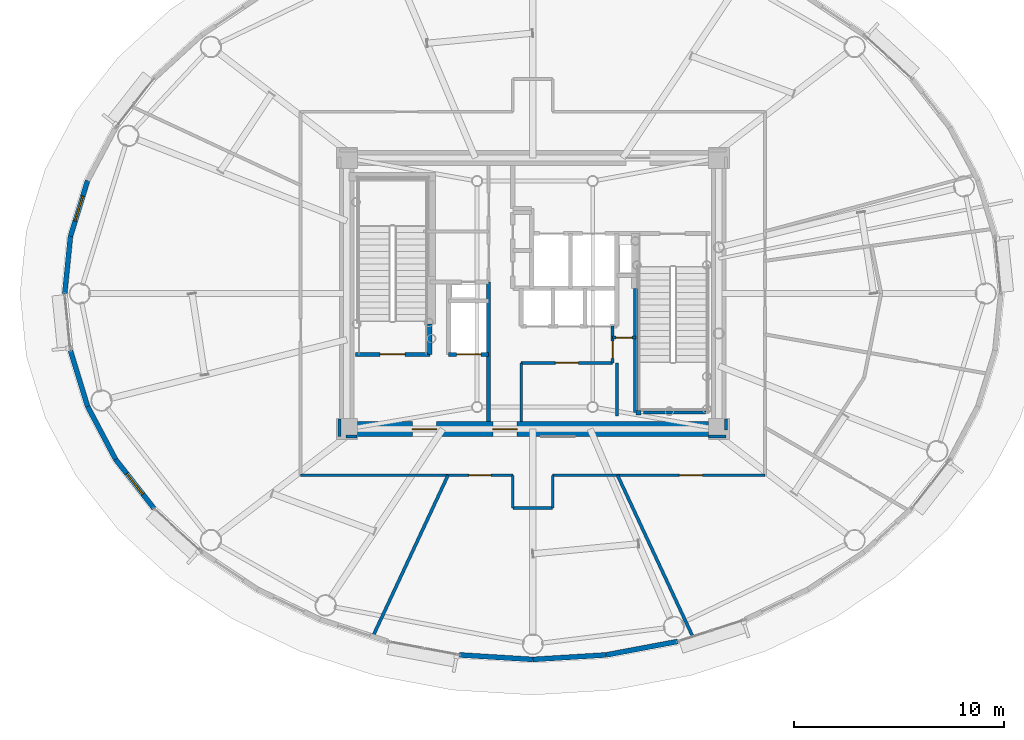
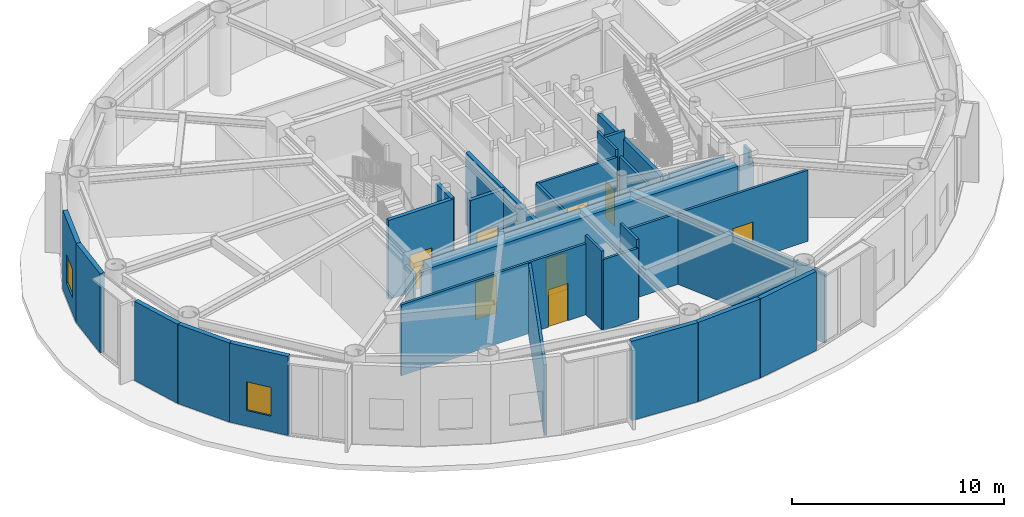
# One storey, part 22 of 32: 32 walls, 9 doors, 2 windows, 11 openings.
"""IFC4 building model written with IfcOpenShell, lengths in metres."""

from ifc_helpers import new_model, si_unit, direction, frame, frame_2d, origin, origin_2d, place, context, subcontext, project, spatial, rectangle, extrude, source, transform, mapped, material, layer, layer_set, type_object, element, fill, save


model = new_model("IFC4")

# Units and contexts
model_context = context("Model", 3, precision=1e-05, world=origin(), true_north=direction((0.0, 1.0)))
body_context = subcontext(model_context, "Body", "Model", "MODEL_VIEW")
ifc_project = project(units=[si_unit("LENGTHUNIT", "METRE"), si_unit("AREAUNIT", "SQUARE_METRE"), si_unit("VOLUMEUNIT", "CUBIC_METRE"), si_unit("PLANEANGLEUNIT", "RADIAN"), si_unit("MASSUNIT", "GRAM", prefix="KILO")], contexts=[model_context])

# Site, building, storey
site_placement = place(None, origin())
site = spatial("IfcSite", under=ifc_project, at=site_placement, CompositionType="ELEMENT")
building_placement = place(site_placement, origin())
building = spatial("IfcBuilding", under=site, at=building_placement, Name="Linh Dai School and Residence Tower", CompositionType="ELEMENT")
storey_placement = place(building_placement, frame((0.0, 0.0, 268.199951171875)))
storey = spatial("IfcBuildingStorey", under=building, at=storey_placement, Name="L66", CompositionType="ELEMENT", Elevation=268.199951171875)

# Wall, opening, window
ifc_material_1 = material(Name="Precast Concrete B45 (C35/45)", Category="concrete")
ifc_layer_1 = layer(ifc_material_1, 0.239990234375)
ifc_layer_set_1 = layer_set([ifc_layer_1], Name="Precast Concrete B45 (C35/45)")
wall_type_1 = type_object("IfcWallType", Name="EW-TC-240", PredefinedType="SOLIDWALL", material=ifc_layer_set_1)
wall_1_placement = place(storey_placement, frame((13.998291015625, 29.718994140625, 0.0), z_axis=(0.0, 0.0, 1.0), x_axis=(0.2931213403, 0.956075248012, 0.0)))
wall_1 = element("IfcWall", 1, at=wall_1_placement, inside=storey, type_object=wall_type_1, Name="L66 Terracotta Exterior Wall 19", PredefinedType="SOLIDWALL", context=body_context, shape_type="SweptSolid", body=[
    extrude(rectangle(XDim=2.775146484375, YDim=0.239990234375, at=frame_2d((1.3876953125, 0.0))), origin(), (0.0, 0.0, 1.0), 4.550048828125),
])
opening_1_placement = place(wall_1_placement, frame((0.7626953125, 0.0, 0.89990234375)))
opening_1 = element("IfcOpeningElement", 2, at=opening_1_placement, cuts=wall_1, Name="Opening W3", PredefinedType="OPENING", context=body_context, shape_type="SweptSolid", body=[
    extrude(rectangle(XDim=1.25, YDim=1.64990234375, at=origin_2d()), frame((0.625, 0.1298828125, 0.824951171875), z_axis=(0.0, -1.0, 0.0), x_axis=(1.0, 0.0, 0.0)), (0.0, 0.0, 1.0), 0.260009765625),
])
ifc_material_2 = material(Name="Double Low-E Insulated Glazing", Category="glass")
window_type = type_object("IfcWindowType", Name="WN-RES-1250x1650", PartitioningType="SINGLE_PANEL", PredefinedType="WINDOW", material=ifc_material_2)
shared_shape_1 = source(origin(), body_context, "Body", "SweptSolid", [
    extrude(rectangle(XDim=1.25, YDim=1.64990234375, at=origin_2d()), frame((0.625, 0.030029296875, 0.824951171875), z_axis=(0.0, -1.0, 0.0), x_axis=(1.0, 0.0, 0.0)), (0.0, 0.0, 1.0), 0.06005859375),
])
window_1_placement = place(opening_1_placement, origin())
window_1 = element("IfcWindow", 3, at=window_1_placement, inside=storey, type_object=window_type, Name="L66 Exterior Window 19.1", OverallHeight=1.64990234375, OverallWidth=1.25, PartitioningType="SINGLE_PANEL", PredefinedType="WINDOW", context=body_context, shape_type="MappedRepresentation", body=[
    mapped(shared_shape_1, transform((0.0, 0.0, 0.0), x_axis=(1.0, 0.0, 0.0), y_axis=(0.0, 1.0, 0.0), z_axis=(0.0, 0.0, 1.0), scale=1.0)),
])
fill(opening_1, window_1)

# Walls
wall_2_placement = place(storey_placement, frame((13.72509765625, 27.0, 0.0), z_axis=(0.0, 0.0, 1.0), x_axis=(0.099972526841, 0.99499019788, 0.0)))
element("IfcWall", 4, at=wall_2_placement, inside=storey, type_object=wall_type_1, Name="L66 Terracotta Exterior Wall 20", PredefinedType="SOLIDWALL", context=body_context, shape_type="SweptSolid", body=[
    extrude(rectangle(XDim=2.732666015625, YDim=0.239990234375, at=frame_2d((1.3662109375, 0.0))), origin(), (0.0, 0.0, 1.0), 4.550048828125),
])
wall_3_placement = place(storey_placement, frame((14.811767578125, 21.627685546875, 0.0), z_axis=(0.0, 0.0, 1.0), x_axis=(-0.2931213403, 0.956075248012, 0.0)))
element("IfcWall", 5, at=wall_3_placement, inside=storey, type_object=wall_type_1, Name="L66 Terracotta Exterior Wall 22", PredefinedType="SOLIDWALL", context=body_context, shape_type="SweptSolid", body=[
    extrude(rectangle(XDim=2.775146484375, YDim=0.239990234375, at=frame_2d((1.3876953125, 0.0))), origin(), (0.0, 0.0, 1.0), 4.550048828125),
])
wall_4_placement = place(storey_placement, frame((16.146240234375, 19.105224609375, 0.0), z_axis=(0.0, 0.0, 1.0), x_axis=(-0.467628269026, 0.883925224218, 0.0)))
element("IfcWall", 6, at=wall_4_placement, inside=storey, type_object=wall_type_1, Name="L66 Terracotta Exterior Wall 23", PredefinedType="SOLIDWALL", context=body_context, shape_type="SweptSolid", body=[
    extrude(rectangle(XDim=2.853759765625, YDim=0.239990234375, at=frame_2d((1.4267578125, 0.0))), origin(), (0.0, 0.0, 1.0), 4.550048828125),
])

# Wall, opening, window
wall_5_placement = place(storey_placement, frame((17.9697265625, 16.775390625, 0.0), z_axis=(0.0, 0.0, 1.0), x_axis=(-0.616337186556, 0.787482363275, 0.0)))
wall_5 = element("IfcWall", 7, at=wall_5_placement, inside=storey, type_object=wall_type_1, Name="L66 Terracotta Exterior Wall 24", PredefinedType="SOLIDWALL", context=body_context, shape_type="SweptSolid", body=[
    extrude(rectangle(XDim=2.95849609375, YDim=0.239990234375, at=frame_2d((1.479248046875, 0.0))), origin(), (0.0, 0.0, 1.0), 4.550048828125),
])
opening_2_placement = place(wall_5_placement, frame((0.85400390625, 0.0, 0.89990234375)))
opening_2 = element("IfcOpeningElement", 8, at=opening_2_placement, cuts=wall_5, Name="Opening W3", PredefinedType="OPENING", context=body_context, shape_type="SweptSolid", body=[
    extrude(rectangle(XDim=1.25, YDim=1.64990234375, at=origin_2d()), frame((0.625, 0.1298828125, 0.824951171875), z_axis=(0.0, -1.0, 0.0), x_axis=(1.0, 0.0, 0.0)), (0.0, 0.0, 1.0), 0.260009765625),
])
window_2_placement = place(opening_2_placement, origin())
window_2 = element("IfcWindow", 9, at=window_2_placement, inside=storey, type_object=window_type, Name="L66 Exterior Window 24.1", OverallHeight=1.64990234375, OverallWidth=1.25, PartitioningType="SINGLE_PANEL", PredefinedType="WINDOW", context=body_context, shape_type="MappedRepresentation", body=[
    mapped(shared_shape_1, transform((0.0, 0.0, 0.0), x_axis=(1.0, 0.0, 0.0), y_axis=(0.0, 1.0, 0.0), z_axis=(0.0, 0.0, 1.0), scale=1.0)),
])
fill(opening_2, window_2)

# Walls
for number, where, z_axis, x_axis, name in (
    (10, (36.0, 9.5849609375, 0.0), (0.0, 0.0, 1.0), (-0.998104946479, 0.061534671648, 0.0), "L66 Terracotta Exterior Wall 30"),
    (11, (39.48876953125, 9.800048828125, 0.0), (0.0, 0.0, 1.0), (-0.998104946479, -0.061534671648, 0.0), "L66 Terracotta Exterior Wall 31"),
):
    element("IfcWall", number, at=place(storey_placement, frame(where, z_axis=z_axis, x_axis=x_axis)), inside=storey, type_object=wall_type_1, Name=name, PredefinedType="SOLIDWALL", context=body_context, shape_type="SweptSolid", body=[
        extrude(rectangle(XDim=3.495361328125, YDim=0.239990234375, at=frame_2d((1.74755859375, 0.0))), origin(), (0.0, 0.0, 1.0), 4.550048828125),
    ])
wall_6_placement = place(storey_placement, frame((42.89111328125, 10.439697265625, 0.0), z_axis=(0.0, 0.0, 1.0), x_axis=(-0.982782655757, -0.184765395959, 0.0)))
element("IfcWall", 12, at=wall_6_placement, inside=storey, type_object=wall_type_1, Name="L66 Terracotta Exterior Wall 32", PredefinedType="SOLIDWALL", context=body_context, shape_type="SweptSolid", body=[
    extrude(rectangle(XDim=3.4619140625, YDim=0.239990234375, at=frame_2d((1.73095703125, 0.0))), origin(), (0.0, 0.0, 1.0), 4.550048828125),
])

# Wall, opening, door
ifc_material_3 = material(Name="Autoclaved Aerated Concrete Blockwork", Category="masonry")
ifc_layer_2 = layer(ifc_material_3, 0.135009765625)
ifc_layer_set_2 = layer_set([ifc_layer_2], Name="Autoclaved Aerated Concrete Blockwork")
wall_type_2 = type_object("IfcWallType", Name="IW-CORR-135-EI90", PredefinedType="PARTITIONING", material=ifc_layer_set_2)
wall_7_placement = place(storey_placement, frame((24.949951171875, 18.35009765625, 0.0), z_axis=(0.0, 0.0, 1.0), x_axis=(1.0, 0.0, 0.0)))
wall_7 = element("IfcWall", 13, at=wall_7_placement, inside=storey, type_object=wall_type_2, Name="L66 Interior Partition Wall 003", PredefinedType="PARTITIONING", context=body_context, shape_type="SweptSolid", body=[
    extrude(rectangle(XDim=10.10009765625, YDim=0.135009765625, at=frame_2d((5.050048828125, 0.0))), origin(), (0.0, 0.0, 1.0), 4.0849609375),
])
opening_3_placement = place(wall_7_placement, frame((8.01318359375, 0.0, 0.0)))
opening_3 = element("IfcOpeningElement", 14, at=opening_3_placement, cuts=wall_7, Name="Opening D04", PredefinedType="OPENING", context=body_context, shape_type="SweptSolid", body=[
    extrude(rectangle(XDim=1.050048828125, YDim=2.14990234375, at=origin_2d()), frame((0.52490234375, 0.07763671875, 1.074951171875), z_axis=(0.0, -1.0, 0.0), x_axis=(1.0, 0.0, 0.0)), (0.0, 0.0, 1.0), 0.155029296875),
])
ifc_material_4 = material(Name="Acoustic Vision-Panel Timber Classroom Door", Category="wood")
door_type_1 = type_object("IfcDoorType", Name="DR-SCH-1050x2150-FD60S", OperationType="NOTDEFINED", PredefinedType="DOOR", material=ifc_material_4)
shared_shape_2 = source(origin(), body_context, "Body", "SweptSolid", [
    extrude(rectangle(XDim=1.050048828125, YDim=2.14990234375, at=origin_2d()), frame((0.52490234375, 0.02490234375, 1.074951171875), z_axis=(0.0, -1.0, 0.0), x_axis=(1.0, 0.0, 0.0)), (0.0, 0.0, 1.0), 0.050048828125),
])
door_1_placement = place(opening_3_placement, origin())
door_1 = element("IfcDoor", 15, at=door_1_placement, inside=storey, type_object=door_type_1, Name="L66 High-Zone Resident Private Meeting Suite Door", OperationType="SINGLE_SWING_RIGHT", OverallHeight=2.14990234375, OverallWidth=1.050048828125, PredefinedType="DOOR", context=body_context, shape_type="MappedRepresentation", body=[
    mapped(shared_shape_2, transform((0.0, 0.0, 0.0), x_axis=(1.0, 0.0, 0.0), y_axis=(0.0, 1.0, 0.0), z_axis=(0.0, 0.0, 1.0), scale=1.0)),
])
fill(opening_3, door_1)

# Walls
wall_8_placement = place(storey_placement, frame((35.050048828125, 16.800048828125, 0.0), z_axis=(0.0, 0.0, 1.0), x_axis=(0.0, 1.0, 0.0)))
element("IfcWall", 16, at=wall_8_placement, inside=storey, type_object=wall_type_2, Name="L66 Interior Partition Wall 015", PredefinedType="PARTITIONING", context=body_context, shape_type="SweptSolid", body=[
    extrude(rectangle(XDim=1.550048828125, YDim=0.135009765625, at=frame_2d((0.77490234375, 0.0))), origin(), (0.0, 0.0, 1.0), 4.550048828125),
])
wall_9_placement = place(storey_placement, frame((35.050048828125, 16.800048828125, 0.0), z_axis=(0.0, 0.0, 1.0), x_axis=(1.0, 0.0, 0.0)))
element("IfcWall", 17, at=wall_9_placement, inside=storey, type_object=wall_type_2, Name="L66 Interior Partition Wall 016", PredefinedType="PARTITIONING", context=body_context, shape_type="SweptSolid", body=[
    extrude(rectangle(XDim=1.89990234375, YDim=0.135009765625, at=frame_2d((0.949951171875, 0.0))), origin(), (0.0, 0.0, 1.0), 4.0849609375),
])
wall_10_placement = place(storey_placement, frame((35.449951171875, 20.89990234375, 0.0), z_axis=(0.0, 0.0, 1.0), x_axis=(0.0, 1.0, 0.0)))
element("IfcWall", 18, at=wall_10_placement, inside=storey, type_object=wall_type_2, Name="L66 Interior Partition Wall 025", PredefinedType="PARTITIONING", context=body_context, shape_type="SweptSolid", body=[
    extrude(rectangle(XDim=2.800048828125, YDim=0.135009765625, at=frame_2d((1.39990234375, 0.0))), origin(), (0.0, 0.0, 1.0), 4.135009765625),
])

# Wall, opening, door
wall_11_placement = place(storey_placement, frame((35.449951171875, 23.699951171875, 0.0), z_axis=(0.0, 0.0, 1.0), x_axis=(1.0, 0.0, 0.0)))
wall_11 = element("IfcWall", 19, at=wall_11_placement, inside=storey, type_object=wall_type_2, Name="L66 Interior Partition Wall 026", PredefinedType="PARTITIONING", context=body_context, shape_type="SweptSolid", body=[
    extrude(rectangle(XDim=4.35009765625, YDim=0.135009765625, at=frame_2d((2.175048828125, 0.0))), origin(), (0.0, 0.0, 1.0), 4.135009765625),
])
opening_4_placement = place(wall_11_placement, frame((1.625, 0.0, 0.0)))
opening_4 = element("IfcOpeningElement", 20, at=opening_4_placement, cuts=wall_11, Name="Opening D07", PredefinedType="OPENING", context=body_context, shape_type="SweptSolid", body=[
    extrude(rectangle(XDim=1.10009765625, YDim=2.14990234375, at=origin_2d()), frame((0.550048828125, 0.07763671875, 1.074951171875), z_axis=(0.0, -1.0, 0.0), x_axis=(1.0, 0.0, 0.0)), (0.0, 0.0, 1.0), 0.155029296875),
])
ifc_material_5 = material(Name="Fire-Rated Louvred Steel Plant Door", Category="steel")
door_type_2 = type_object("IfcDoorType", Name="DR-PLT-1100x2150-FD60S", OperationType="NOTDEFINED", PredefinedType="DOOR", material=ifc_material_5)
shared_shape_3 = source(origin(), body_context, "Body", "SweptSolid", [
    extrude(rectangle(XDim=1.10009765625, YDim=2.14990234375, at=origin_2d()), frame((0.550048828125, 0.02490234375, 1.074951171875), z_axis=(0.0, -1.0, 0.0), x_axis=(1.0, 0.0, 0.0)), (0.0, 0.0, 1.0), 0.050048828125),
])
door_2_placement = place(opening_4_placement, origin())
door_2 = element("IfcDoor", 21, at=door_2_placement, inside=storey, type_object=door_type_2, Name="L66 Tenant Metering and BMS Room Door", OperationType="SINGLE_SWING_LEFT", OverallHeight=2.14990234375, OverallWidth=1.10009765625, PredefinedType="DOOR", context=body_context, shape_type="MappedRepresentation", body=[
    mapped(shared_shape_3, transform((0.0, 0.0, 0.0), x_axis=(1.0, 0.0, 0.0), y_axis=(0.0, 1.0, 0.0), z_axis=(0.0, 0.0, 1.0), scale=1.0)),
])
fill(opening_4, door_2)

# Wall
wall_12_placement = place(storey_placement, frame((36.949951171875, 16.800048828125, 0.0), z_axis=(0.0, 0.0, 1.0), x_axis=(0.0, 1.0, 0.0)))
element("IfcWall", 22, at=wall_12_placement, inside=storey, type_object=wall_type_2, Name="L66 Interior Partition Wall 031", PredefinedType="PARTITIONING", context=body_context, shape_type="SweptSolid", body=[
    extrude(rectangle(XDim=1.550048828125, YDim=0.135009765625, at=frame_2d((0.77490234375, 0.0))), origin(), (0.0, 0.0, 1.0), 4.550048828125),
])

# Wall, opening, door
wall_13_placement = place(storey_placement, frame((36.949951171875, 18.35009765625, 0.0), z_axis=(0.0, 0.0, 1.0), x_axis=(1.0, 0.0, 0.0)))
wall_13 = element("IfcWall", 23, at=wall_13_placement, inside=storey, type_object=wall_type_2, Name="L66 Interior Partition Wall 032", PredefinedType="PARTITIONING", context=body_context, shape_type="SweptSolid", body=[
    extrude(rectangle(XDim=10.10009765625, YDim=0.135009765625, at=frame_2d((5.050048828125, 0.0))), origin(), (0.0, 0.0, 1.0), 4.0849609375),
])
opening_5_placement = place(wall_13_placement, frame((6.021728515625, 0.0, 0.0)))
opening_5 = element("IfcOpeningElement", 24, at=opening_5_placement, cuts=wall_13, Name="Opening D07", PredefinedType="OPENING", context=body_context, shape_type="SweptSolid", body=[
    extrude(rectangle(XDim=1.10009765625, YDim=2.14990234375, at=origin_2d()), frame((0.550048828125, 0.07763671875, 1.074951171875), z_axis=(0.0, -1.0, 0.0), x_axis=(1.0, 0.0, 0.0)), (0.0, 0.0, 1.0), 0.155029296875),
])
door_3_placement = place(opening_5_placement, origin())
door_3 = element("IfcDoor", 25, at=door_3_placement, inside=storey, type_object=door_type_2, Name="L66 High-Zone Parcel and Luggage Room Door", OperationType="SINGLE_SWING_LEFT", OverallHeight=2.14990234375, OverallWidth=1.10009765625, PredefinedType="DOOR", context=body_context, shape_type="MappedRepresentation", body=[
    mapped(shared_shape_3, transform((0.0, 0.0, 0.0), x_axis=(1.0, 0.0, 0.0), y_axis=(0.0, 1.0, 0.0), z_axis=(0.0, 0.0, 1.0), scale=1.0)),
])
fill(opening_5, door_3)

wall_14_placement = place(storey_placement, frame((39.800048828125, 23.699951171875, 0.0), z_axis=(0.0, 0.0, 1.0), x_axis=(0.0, 1.0, 0.0)))
wall_14 = element("IfcWall", 26, at=wall_14_placement, inside=storey, type_object=wall_type_2, Name="L66 Interior Partition Wall 038", PredefinedType="PARTITIONING", context=body_context, shape_type="SweptSolid", body=[
    extrude(rectangle(XDim=1.75, YDim=0.135009765625, at=frame_2d((0.875, 0.0))), origin(), (0.0, 0.0, 1.0), 4.550048828125),
])
opening_6_placement = place(wall_14_placement, frame((0.2099609375, 0.0, 0.0)))
opening_6 = element("IfcOpeningElement", 27, at=opening_6_placement, cuts=wall_14, Name="Opening D06", PredefinedType="OPENING", context=body_context, shape_type="SweptSolid", body=[
    extrude(rectangle(XDim=0.820068359375, YDim=2.10009765625, at=origin_2d()), frame((0.41015625, 0.07763671875, 1.050048828125), z_axis=(0.0, -1.0, 0.0), x_axis=(1.0, 0.0, 0.0)), (0.0, 0.0, 1.0), 0.155029296875),
])
ifc_material_6 = material(Name="Moisture-Resistant Timber Bathroom Door", Category="wood")
door_type_3 = type_object("IfcDoorType", Name="DR-WET-820x2100", OperationType="NOTDEFINED", PredefinedType="DOOR", material=ifc_material_6)
shared_shape_4 = source(origin(), body_context, "Body", "SweptSolid", [
    extrude(rectangle(XDim=0.820068359375, YDim=2.10009765625, at=origin_2d()), frame((0.41015625, 0.02490234375, 1.050048828125), z_axis=(0.0, -1.0, 0.0), x_axis=(1.0, 0.0, 0.0)), (0.0, 0.0, 1.0), 0.050048828125),
])
door_4_placement = place(opening_6_placement, origin())
door_4 = element("IfcDoor", 28, at=door_4_placement, inside=storey, type_object=door_type_3, Name="L66 SE Metering Closet Door", OperationType="SINGLE_SWING_RIGHT", OverallHeight=2.10009765625, OverallWidth=0.820068359375, PredefinedType="DOOR", context=body_context, shape_type="MappedRepresentation", body=[
    mapped(shared_shape_4, transform((0.0, 0.0, 0.0), x_axis=(1.0, 0.0, 0.0), y_axis=(0.0, 1.0, 0.0), z_axis=(0.0, 0.0, 1.0), scale=1.0)),
])
fill(opening_6, door_4)

# Walls
wall_15_placement = place(storey_placement, frame((44.239990234375, 21.330078125, 0.0), z_axis=(0.0, 0.0, 1.0), x_axis=(-1.0, 0.0, 0.0)))
element("IfcWall", 29, at=wall_15_placement, inside=storey, type_object=wall_type_2, Name="L66 Interior Partition Wall 053", PredefinedType="PARTITIONING", context=body_context, shape_type="SweptSolid", body=[
    extrude(rectangle(XDim=2.97998046875, YDim=0.135009765625, at=frame_2d((1.489990234375, 0.0))), origin(), (0.0, 0.0, 1.0), 4.0849609375),
])
wall_16_placement = place(storey_placement, frame((40.0, 23.699951171875, 0.0), z_axis=(0.0, 0.0, 1.0), x_axis=(0.0, -1.0, 0.0)))
element("IfcWall", 30, at=wall_16_placement, inside=storey, type_object=wall_type_2, Name="L66 Interior Partition Wall 054", PredefinedType="PARTITIONING", context=body_context, shape_type="SweptSolid", body=[
    extrude(rectangle(XDim=2.5400390625, YDim=0.135009765625, at=frame_2d((1.27001953125, 0.0))), origin(), (0.0, 0.0, 1.0), 4.0849609375),
])
wall_17_placement = place(storey_placement, frame((26.800048828125, 21.0400390625, 0.0), z_axis=(0.0, 0.0, 1.0), x_axis=(0.0, -1.0, 0.0)))
element("IfcWall", 31, at=wall_17_placement, inside=storey, type_object=wall_type_2, Name="L66 Interior Partition Wall 058", PredefinedType="PARTITIONING", context=body_context, shape_type="SweptSolid", body=[
    extrude(rectangle(XDim=0.840087890625, YDim=0.135009765625, at=frame_2d((0.419921875, 0.0))), origin(), (0.0, 0.0, 1.0), 4.0849609375),
])
wall_18_placement = place(storey_placement, frame((27.107421875, 20.199951171875, 0.0), z_axis=(0.0, 0.0, 1.0), x_axis=(1.0, 0.0, 0.0)))
element("IfcWall", 32, at=wall_18_placement, inside=storey, type_object=wall_type_2, Name="L66 Interior Partition Wall 059", PredefinedType="PARTITIONING", context=body_context, shape_type="SweptSolid", body=[
    extrude(rectangle(XDim=0.532470703125, YDim=0.135009765625, at=frame_2d((0.26611328125, 0.0))), origin(), (0.0, 0.0, 1.0), 4.0849609375),
])
wall_19_placement = place(storey_placement, frame((44.360107421875, 20.199951171875, 0.0), z_axis=(0.0, 0.0, 1.0), x_axis=(1.0, 0.0, 0.0)))
element("IfcWall", 33, at=wall_19_placement, inside=storey, type_object=wall_type_2, Name="L66 Interior Partition Wall 060", PredefinedType="PARTITIONING", context=body_context, shape_type="SweptSolid", body=[
    extrude(rectangle(XDim=0.83984375, YDim=0.135009765625, at=frame_2d((0.419921875, 0.0))), origin(), (0.0, 0.0, 1.0), 4.0849609375),
])
wall_20_placement = place(storey_placement, frame((45.199951171875, 20.507568359375, 0.0), z_axis=(0.0, 0.0, 1.0), x_axis=(0.0, 1.0, 0.0)))
element("IfcWall", 34, at=wall_20_placement, inside=storey, type_object=wall_type_2, Name="L66 Interior Partition Wall 061", PredefinedType="PARTITIONING", context=body_context, shape_type="SweptSolid", body=[
    extrude(rectangle(XDim=0.532470703125, YDim=0.135009765625, at=frame_2d((0.26611328125, 0.0))), origin(), (0.0, 0.0, 1.0), 4.550048828125),
])
ifc_layer_3 = layer(ifc_material_3, 0.14990234375)
ifc_layer_set_3 = layer_set([ifc_layer_3], Name="Autoclaved Aerated Concrete Blockwork")
wall_type_3 = type_object("IfcWallType", Name="IW-SCH-150-EI60", PredefinedType="PARTITIONING", material=ifc_layer_set_3)
wall_21_placement = place(storey_placement, frame((28.384765625, 10.669189453125, 0.0), z_axis=(0.0, 0.0, 1.0), x_axis=(0.422629968892, 0.90630232781, 0.0)))
element("IfcWall", 35, at=wall_21_placement, inside=storey, type_object=wall_type_3, Name="L66 Interior Partition Wall 006", PredefinedType="PARTITIONING", context=body_context, shape_type="SweptSolid", body=[
    extrude(rectangle(XDim=8.47509765625, YDim=0.14990234375, at=frame_2d((4.237548828125, 0.0))), origin(), (0.0, 0.0, 1.0), 4.03515625),
])

# Wall, opening, door
wall_22_placement = place(storey_placement, frame((39.800048828125, 24.89990234375, 0.0), z_axis=(0.0, 0.0, 1.0), x_axis=(1.0, 0.0, 0.0)))
wall_22 = element("IfcWall", 36, at=wall_22_placement, inside=storey, type_object=wall_type_3, Name="L66 Interior Partition Wall 039", PredefinedType="PARTITIONING", context=body_context, shape_type="SweptSolid", body=[
    extrude(rectangle(XDim=1.099853515625, YDim=0.14990234375, at=frame_2d((0.5498046875, 0.0))), origin(), (0.0, 0.0, 1.0), 4.550048828125),
])
opening_7_placement = place(wall_22_placement, frame((0.169921875, 0.0, 0.0)))
opening_7 = element("IfcOpeningElement", 37, at=opening_7_placement, cuts=wall_22, Name="Opening D08", PredefinedType="OPENING", context=body_context, shape_type="SweptSolid", body=[
    extrude(rectangle(XDim=0.760009765625, YDim=2.10009765625, at=origin_2d()), frame((0.3798828125, 0.0849609375, 1.050048828125), z_axis=(0.0, -1.0, 0.0), x_axis=(1.0, 0.0, 0.0)), (0.0, 0.0, 1.0), 0.169921875),
])
ifc_material_7 = material(Name="Engineered Timber Closet and Study Door", Category="wood")
door_type_4 = type_object("IfcDoorType", Name="DR-CMP-760x2100", OperationType="NOTDEFINED", PredefinedType="DOOR", material=ifc_material_7)
shared_shape_5 = source(origin(), body_context, "Body", "SweptSolid", [
    extrude(rectangle(XDim=0.760009765625, YDim=2.10009765625, at=origin_2d()), frame((0.3798828125, 0.02490234375, 1.050048828125), z_axis=(0.0, -1.0, 0.0), x_axis=(1.0, 0.0, 0.0)), (0.0, 0.0, 1.0), 0.050048828125),
])
door_5_placement = place(opening_7_placement, origin())
door_5 = element("IfcDoor", 38, at=door_5_placement, inside=storey, type_object=door_type_4, Name="L66 NE Cleaners Store Door", OperationType="SINGLE_SWING_LEFT", OverallHeight=2.10009765625, OverallWidth=0.760009765625, PredefinedType="DOOR", context=body_context, shape_type="MappedRepresentation", body=[
    mapped(shared_shape_5, transform((0.0, 0.0, 0.0), x_axis=(1.0, 0.0, 0.0), y_axis=(0.0, 1.0, 0.0), z_axis=(0.0, 0.0, 1.0), scale=1.0)),
])
fill(opening_7, door_5)

# Wall
wall_23_placement = place(storey_placement, frame((40.033447265625, 18.35009765625, 0.0), z_axis=(0.0, 0.0, 1.0), x_axis=(0.422629968892, -0.90630232781, 0.0)))
element("IfcWall", 39, at=wall_23_placement, inside=storey, type_object=wall_type_3, Name="L66 Interior Partition Wall 042", PredefinedType="PARTITIONING", context=body_context, shape_type="SweptSolid", body=[
    extrude(rectangle(XDim=8.47509765625, YDim=0.14990234375, at=frame_2d((4.237548828125, 0.0))), origin(), (0.0, 0.0, 1.0), 4.03515625),
])

# Wall, opening, door
ifc_material_8 = material(Name="Concrete B45 (C35/45)", Category="concrete")
ifc_layer_4 = layer(ifc_material_8, 0.199951171875)
ifc_layer_set_4 = layer_set([ifc_layer_4], Name="Concrete B45 (C35/45)")
wall_type_4 = type_object("IfcWallType", Name="IW-SHAFT-200-EI120", PredefinedType="PARTITIONING", material=ifc_layer_set_4)
wall_24_placement = place(storey_placement, frame((27.56005859375, 24.10009765625, 0.0), z_axis=(0.0, 0.0, 1.0), x_axis=(1.0, 0.0, 0.0)))
wall_24 = element("IfcWall", 40, at=wall_24_placement, inside=storey, type_object=wall_type_4, Name="L66 Interior Partition Wall 005", PredefinedType="PARTITIONING", context=body_context, shape_type="SweptSolid", body=[
    extrude(rectangle(XDim=3.5400390625, YDim=0.199951171875, at=frame_2d((1.77001953125, 0.0))), origin(), (0.0, 0.0, 1.0), 4.550048828125),
])
opening_8_placement = place(wall_24_placement, frame((1.169921875, 0.0, 0.0)))
opening_8 = element("IfcOpeningElement", 41, at=opening_8_placement, cuts=wall_24, Name="Opening D01", PredefinedType="OPENING", context=body_context, shape_type="SweptSolid", body=[
    extrude(rectangle(XDim=1.199951171875, YDim=2.14990234375, at=origin_2d()), frame((0.60009765625, 0.10986328125, 1.074951171875), z_axis=(0.0, -1.0, 0.0), x_axis=(1.0, 0.0, 0.0)), (0.0, 0.0, 1.0), 0.219970703125),
])
ifc_material_9 = material(Name="Fire-Rated Steel Door Leaf", Category="steel")
door_type_5 = type_object("IfcDoorType", Name="DR-STAIR-1200x2150-FD90S", OperationType="NOTDEFINED", PredefinedType="DOOR", material=ifc_material_9)
shared_shape_6 = source(origin(), body_context, "Body", "SweptSolid", [
    extrude(rectangle(XDim=1.199951171875, YDim=2.14990234375, at=origin_2d()), frame((0.60009765625, 0.02490234375, 1.074951171875), z_axis=(0.0, -1.0, 0.0), x_axis=(1.0, 0.0, 0.0)), (0.0, 0.0, 1.0), 0.050048828125),
])
door_6_placement = place(opening_8_placement, origin())
door_6 = element("IfcDoor", 42, at=door_6_placement, inside=storey, type_object=door_type_5, Name="L66 Core Smokeproof Exit Stair ST1 Door", OperationType="SINGLE_SWING_LEFT", OverallHeight=2.14990234375, OverallWidth=1.199951171875, PredefinedType="DOOR", context=body_context, shape_type="MappedRepresentation", body=[
    mapped(shared_shape_6, transform((0.0, 0.0, 0.0), x_axis=(1.0, 0.0, 0.0), y_axis=(0.0, 1.0, 0.0), z_axis=(0.0, 0.0, 1.0), scale=1.0)),
])
fill(opening_8, door_6)

# Wall
wall_25_placement = place(storey_placement, frame((31.10009765625, 24.10009765625, 0.0), z_axis=(0.0, 0.0, 1.0), x_axis=(0.0, 1.0, 0.0)))
element("IfcWall", 43, at=wall_25_placement, inside=storey, type_object=wall_type_4, Name="L66 Interior Partition Wall 008", PredefinedType="PARTITIONING", context=body_context, shape_type="SweptSolid", body=[
    extrude(rectangle(XDim=1.43994140625, YDim=0.199951171875, at=frame_2d((0.719970703125, 0.0))), origin(), (0.0, 0.0, 1.0), 4.550048828125),
])

# Wall, opening, door
wall_26_placement = place(storey_placement, frame((32.0, 24.10009765625, 0.0), z_axis=(0.0, 0.0, 1.0), x_axis=(1.0, 0.0, 0.0)))
wall_26 = element("IfcWall", 44, at=wall_26_placement, inside=storey, type_object=wall_type_4, Name="L66 Interior Partition Wall 011", PredefinedType="PARTITIONING", context=body_context, shape_type="SweptSolid", body=[
    extrude(rectangle(XDim=1.89990234375, YDim=0.199951171875, at=frame_2d((0.949951171875, 0.0))), origin(), (0.0, 0.0, 1.0), 4.135009765625),
])
opening_9_placement = place(wall_26_placement, frame((0.375, 0.0, 0.0)))
opening_9 = element("IfcOpeningElement", 45, at=opening_9_placement, cuts=wall_26, Name="Opening LD-FF2", PredefinedType="OPENING", context=body_context, shape_type="SweptSolid", body=[
    extrude(rectangle(XDim=1.14990234375, YDim=2.14990234375, at=origin_2d()), frame((0.574951171875, 0.10986328125, 1.074951171875), z_axis=(0.0, -1.0, 0.0), x_axis=(1.0, 0.0, 0.0)), (0.0, 0.0, 1.0), 0.219970703125),
])
ifc_material_10 = material(Name="Fire-Rated Stainless Steel Firefighting Lift Door", Category="steel")
door_type_6 = type_object("IfcDoorType", Name="DR-LD-FF-1150x2150-FD120", OperationType="DOUBLE_DOOR_SLIDING", PredefinedType="USERDEFINED", material=ifc_material_10)
shared_shape_7 = source(origin(), body_context, "Body", "SweptSolid", [
    extrude(rectangle(XDim=1.14990234375, YDim=2.14990234375, at=origin_2d()), frame((0.574951171875, 0.02490234375, 1.074951171875), z_axis=(0.0, -1.0, 0.0), x_axis=(1.0, 0.0, 0.0)), (0.0, 0.0, 1.0), 0.050048828125),
])
door_7_placement = place(opening_9_placement, origin())
door_7 = element("IfcDoor", 46, at=door_7_placement, inside=storey, type_object=door_type_6, Name="L66 Lift FF2 Sliding Landing Door", ObjectType="LANDING DOOR", OperationType="DOUBLE_DOOR_SLIDING", OverallHeight=2.14990234375, OverallWidth=1.14990234375, PredefinedType="USERDEFINED", context=body_context, shape_type="MappedRepresentation", body=[
    mapped(shared_shape_7, transform((0.0, 0.0, 0.0), x_axis=(1.0, 0.0, 0.0), y_axis=(0.0, 1.0, 0.0), z_axis=(0.0, 0.0, 1.0), scale=1.0)),
])
fill(opening_9, door_7)

# Walls
wall_27_placement = place(storey_placement, frame((33.89990234375, 20.89990234375, 0.0), z_axis=(0.0, 0.0, 1.0), x_axis=(0.0, 1.0, 0.0)))
element("IfcWall", 47, at=wall_27_placement, inside=storey, type_object=wall_type_4, Name="L66 Interior Partition Wall 013", PredefinedType="PARTITIONING", context=body_context, shape_type="SweptSolid", body=[
    extrude(rectangle(XDim=6.650146484375, YDim=0.199951171875, at=frame_2d((3.3251953125, 0.0))), origin(), (0.0, 0.0, 1.0), 4.135009765625),
])
wall_28_placement = place(storey_placement, frame((40.89990234375, 21.330078125, 0.0), z_axis=(0.0, 0.0, 1.0), x_axis=(0.0, 1.0, 0.0)))
element("IfcWall", 48, at=wall_28_placement, inside=storey, type_object=wall_type_4, Name="L66 Interior Partition Wall 043", PredefinedType="PARTITIONING", context=body_context, shape_type="SweptSolid", body=[
    extrude(rectangle(XDim=5.909912109375, YDim=0.199951171875, at=frame_2d((2.955078125, 0.0))), origin(), (0.0, 0.0, 1.0), 4.0849609375),
])
wall_29_placement = place(storey_placement, frame((40.89990234375, 21.330078125, 0.0), z_axis=(0.0, 0.0, 1.0), x_axis=(1.0, 0.0, 0.0)))
element("IfcWall", 49, at=wall_29_placement, inside=storey, type_object=wall_type_4, Name="L66 Interior Partition Wall 044", PredefinedType="PARTITIONING", context=body_context, shape_type="SweptSolid", body=[
    extrude(rectangle(XDim=0.25, YDim=0.199951171875, at=frame_2d((0.125, 0.0))), origin(), (0.0, 0.0, 1.0), 4.0849609375),
])

# Wall, openings, doors
ifc_layer_5 = layer(ifc_material_8, 0.699951171875)
ifc_layer_set_5 = layer_set([ifc_layer_5], Name="Concrete B45 (C35/45)")
wall_type_5 = type_object("IfcWallType", Name="WL-CORE700", PredefinedType="SHEAR", material=ifc_layer_set_5)
wall_30_placement = place(storey_placement, frame((44.35009765625, 20.550048828125, 0.0), z_axis=(0.0, 0.0, 1.0), x_axis=(-1.0, 0.0, 0.0)))
wall_30 = element("IfcWall", 50, at=wall_30_placement, inside=storey, type_object=wall_type_5, Name="L66 Central Core Shear Wall S", PredefinedType="SHEAR", context=body_context, shape_type="SweptSolid", body=[
    extrude(rectangle(XDim=16.7001953125, YDim=0.699951171875, at=frame_2d((8.35009765625, 0.0))), origin(), (0.0, 0.0, 1.0), 4.10009765625),
])
opening_10_placement = place(wall_30_placement, frame((12.925048828125, 0.0, 0.0)))
opening_10 = element("IfcOpeningElement", 51, at=opening_10_placement, cuts=wall_30, Name="Opening D02", PredefinedType="OPENING", context=body_context, shape_type="SweptSolid", body=[
    extrude(rectangle(XDim=1.14990234375, YDim=2.14990234375, at=origin_2d()), frame((0.574951171875, 0.35986328125, 1.074951171875), z_axis=(0.0, -1.0, 0.0), x_axis=(1.0, 0.0, 0.0)), (0.0, 0.0, 1.0), 0.719970703125),
])
opening_11_placement = place(wall_30_placement, frame((9.10009765625, 0.0, 0.0)))
opening_11 = element("IfcOpeningElement", 52, at=opening_11_placement, cuts=wall_30, Name="Opening D02", PredefinedType="OPENING", context=body_context, shape_type="SweptSolid", body=[
    extrude(rectangle(XDim=1.14990234375, YDim=2.14990234375, at=origin_2d()), frame((0.574951171875, 0.35986328125, 1.074951171875), z_axis=(0.0, -1.0, 0.0), x_axis=(1.0, 0.0, 0.0)), (0.0, 0.0, 1.0), 0.719970703125),
])
ifc_material_11 = material(Name="Fire-Rated Glazed Steel Lobby Door", Category="steel")
door_type_7 = type_object("IfcDoorType", Name="DR-LOBBY-1150x2150-FD90S", OperationType="NOTDEFINED", PredefinedType="DOOR", material=ifc_material_11)
shared_shape_8 = source(origin(), body_context, "Body", "SweptSolid", [
    extrude(rectangle(XDim=1.14990234375, YDim=2.14990234375, at=origin_2d()), frame((0.574951171875, 0.02490234375, 1.074951171875), z_axis=(0.0, -1.0, 0.0), x_axis=(1.0, 0.0, 0.0)), (0.0, 0.0, 1.0), 0.050048828125),
])
door_8_placement = place(opening_10_placement, origin())
door_8 = element("IfcDoor", 53, at=door_8_placement, inside=storey, type_object=door_type_7, Name="L66 Firefighting Lobby Door", OperationType="SINGLE_SWING_RIGHT", OverallHeight=2.14990234375, OverallWidth=1.14990234375, PredefinedType="DOOR", context=body_context, shape_type="MappedRepresentation", body=[
    mapped(shared_shape_8, transform((0.0, 0.0, 0.0), x_axis=(1.0, 0.0, 0.0), y_axis=(0.0, 1.0, 0.0), z_axis=(0.0, 0.0, 1.0), scale=1.0)),
])
fill(opening_10, door_8)
door_9_placement = place(opening_11_placement, origin())
door_9 = element("IfcDoor", 54, at=door_9_placement, inside=storey, type_object=door_type_7, Name="L66 Passenger Foyer Access Door", OperationType="SINGLE_SWING_RIGHT", OverallHeight=2.14990234375, OverallWidth=1.14990234375, PredefinedType="DOOR", context=body_context, shape_type="MappedRepresentation", body=[
    mapped(shared_shape_8, transform((0.0, 0.0, 0.0), x_axis=(1.0, 0.0, 0.0), y_axis=(0.0, 1.0, 0.0), z_axis=(0.0, 0.0, 1.0), scale=1.0)),
])
fill(opening_11, door_9)

save(model, "model.ifc")
